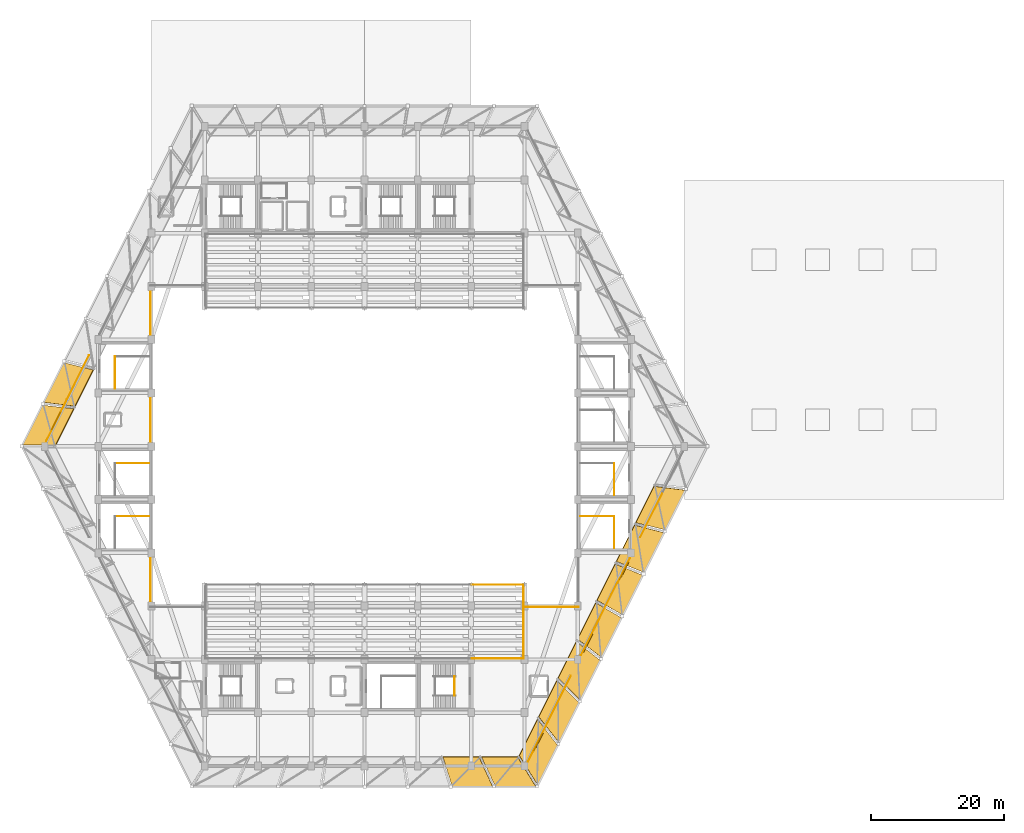
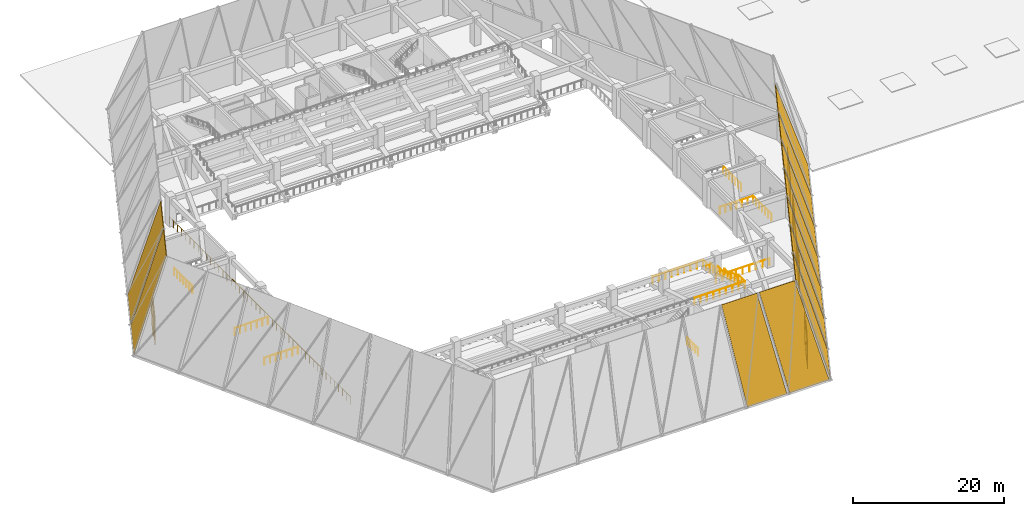
# One storey, part 21 of 24: 19 coverings, 17 railings, 4 shading devices.
"""IFC4 building model written with IfcOpenShell, lengths in metres."""

from ifc_helpers import new_model, si_unit, direction, frame, origin, origin_2d, place, context, subcontext, project, spatial, polyline, rectangle, circle, outline, extrude, material, layer, layer_set, type_object, element, save


model = new_model("IFC4")

# Units and contexts
model_context = context("Model", 3, precision=1e-05, world=origin(), true_north=direction((0.0, 1.0)))
body_context = subcontext(model_context, "Body", "Model", "MODEL_VIEW")
ifc_project = project(units=[si_unit("LENGTHUNIT", "METRE"), si_unit("AREAUNIT", "SQUARE_METRE"), si_unit("VOLUMEUNIT", "CUBIC_METRE"), si_unit("PLANEANGLEUNIT", "RADIAN"), si_unit("MASSUNIT", "GRAM", prefix="KILO")], contexts=[model_context])

# Site, building, storey
site_placement = place(None, origin())
site = spatial("IfcSite", under=ifc_project, at=site_placement, CompositionType="ELEMENT")
building_placement = place(site_placement, origin())
building = spatial("IfcBuilding", under=site, at=building_placement, Name="Tazarka Park Arena", CompositionType="ELEMENT")
storey_placement = place(building_placement, frame((0.0, 0.0, 15.0)))
storey = spatial("IfcBuildingStorey", under=building, at=storey_placement, Name="L03", CompositionType="ELEMENT", Elevation=15.0)

# Coverings
ifc_material_1 = material(Name="Dark ribbed perforated bronze-charcoal aluminium mesh", Category="aluminium")
ifc_layer = layer(ifc_material_1, 0.06005859375, Name="Dark ribbed perforated bronze-charcoal aluminium mesh")
ifc_layer_set = layer_set([ifc_layer], Name="Dark ribbed perforated bronze-charcoal aluminium mesh")
covering_type = type_object("IfcCoveringType", Name="CLD-01", PredefinedType="CLADDING", material=ifc_layer_set)
covering_1_placement = place(storey_placement, frame((101.165283203125, 12.89990234375, 0.0), z_axis=(0.0, -0.955276509759, 0.295714033997), x_axis=(1.0, 0.0, 0.0)))
element("IfcCovering", 1, at=covering_1_placement, inside=storey, type_object=covering_type, Name="Folded Gem Upper Ribbed Mesh Facet 007", PredefinedType="CLADDING", context=body_context, shape_type="SweptSolid", body=[
    extrude(outline(polyline([(0.0, 0.0), (6.064208984375, 0.0), (4.02294921875, 15.053110450846884), (-1.397705078125, 15.053110450846884), (0.0, 0.0)])), origin(), (0.0, 0.0, -1.0), 0.080078125),
])
covering_2_placement = place(storey_placement, frame((107.644287109375, 12.89990234375, 0.0), z_axis=(0.0, -0.955276509759, 0.295714033997), x_axis=(1.0, 0.0, 0.0)))
element("IfcCovering", 2, at=covering_2_placement, inside=storey, type_object=covering_type, Name="Folded Gem Upper Ribbed Mesh Facet 008", PredefinedType="CLADDING", context=body_context, shape_type="SweptSolid", body=[
    extrude(outline(polyline([(0.0, 0.0), (6.064208984375, 0.0), (3.335205078125, 15.053110450846884), (-2.08544921875, 15.053110450846884), (0.0, 0.0)])), origin(), (0.0, 0.0, -1.0), 0.080078125),
])
covering_3_placement = place(storey_placement, frame((114.01806640625, 13.1044921875, 0.0), z_axis=(0.854422620568, -0.427220430351, 0.295710482317), x_axis=(0.447220565242, 0.894423706092, 2.41218e-06)))
element("IfcCovering", 3, at=covering_3_placement, inside=storey, type_object=covering_type, Name="Folded Gem Upper Ribbed Mesh Facet 009", PredefinedType="CLADDING", context=body_context, shape_type="SweptSolid", body=[
    extrude(outline(polyline([(0.0, 0.0), (6.6841836707999365, 0.0), (8.83323279246505, 15.053070821129827), (2.73121291259323, 15.053103107689404), (0.0, 0.0)])), origin(), (0.0, 0.0, -1.0), 0.080078125),
])
covering_4_placement = place(storey_placement, frame((117.2119140625, 19.491943359375, 0.0), z_axis=(0.854425702053, -0.427212851026, 0.295712528631), x_axis=(0.447212317948, 0.894427829763, 4.614148e-06)))
element("IfcCovering", 4, at=covering_4_placement, inside=storey, type_object=covering_type, Name="Folded Gem Upper Ribbed Mesh Facet 010", PredefinedType="CLADDING", context=body_context, shape_type="SweptSolid", body=[
    extrude(outline(polyline([(0.0, 0.0), (6.684402037113722, 2.220446049250313e-16), (8.211180728832655, 15.053063446519374), (2.1091608498357544, 15.053125207081868), (0.0, 0.0)])), origin(), (0.0, 0.0, -1.0), 0.080078125),
])
covering_5_placement = place(storey_placement, frame((120.405517578125, 25.87939453125, 0.0), z_axis=(0.854418063297, -0.427227271296, 0.295713766626), x_axis=(0.447228812099, 0.894419582539, 2.10195e-07)))
element("IfcCovering", 5, at=covering_5_placement, inside=storey, type_object=covering_type, Name="Folded Gem Upper Ribbed Mesh Facet 011", PredefinedType="CLADDING", context=body_context, shape_type="SweptSolid", body=[
    extrude(outline(polyline([(0.0, 0.0), (6.684511220932458, -1.1102230246251565e-16), (7.589019723614486, 15.053107476761605), (1.4869998434161462, 15.053110290258305), (0.0, 0.0)])), origin(), (0.0, 0.0, -1.0), 0.080078125),
])
covering_6_placement = place(storey_placement, frame((123.599365234375, 32.266845703125, 0.0), z_axis=(0.854425702053, -0.427212851026, 0.295712528631), x_axis=(0.447212317948, 0.894427829763, 4.614148e-06)))
element("IfcCovering", 6, at=covering_6_placement, inside=storey, type_object=covering_type, Name="Folded Gem Upper Ribbed Mesh Facet 012", PredefinedType="CLADDING", context=body_context, shape_type="SweptSolid", body=[
    extrude(outline(polyline([(0.0, 0.0), (6.684402037113722, 2.220446049250313e-16), (6.96704036734277, 15.053069455925998), (0.8650204883458683, 15.05313121648849), (0.0, 0.0)])), origin(), (0.0, 0.0, -1.0), 0.080078125),
])
covering_7_placement = place(storey_placement, frame((126.793212890625, 38.654296875, 0.0), z_axis=(0.854426594025, -0.427204177292, 0.295722481945), x_axis=(0.447205348382, 0.894431314509, 2.202102e-06)))
element("IfcCovering", 7, at=covering_7_placement, inside=storey, type_object=covering_type, Name="Folded Gem Upper Ribbed Mesh Facet 013", PredefinedType="CLADDING", context=body_context, shape_type="SweptSolid", body=[
    extrude(outline(polyline([(0.0, 0.0), (6.684402037742119, -2.220446049250313e-16), (6.345133964078188, 15.053137033729044), (0.24289571911492003, 15.053166509555366), (0.0, 0.0)])), origin(), (0.0, 0.0, -1.0), 0.080078125),
])
covering_8_placement = place(storey_placement, frame((129.98681640625, 45.0419921875, 0.0), z_axis=(0.854416765636, -0.427226622438, 0.295718453399), x_axis=(0.447230089743, 0.894418943678, -4.404259e-06)))
element("IfcCovering", 8, at=covering_8_placement, inside=storey, type_object=covering_type, Name="Folded Gem Upper Ribbed Mesh Facet 014", PredefinedType="CLADDING", context=body_context, shape_type="SweptSolid", body=[
    extrude(outline(polyline([(0.0, 0.0), (6.684292856854548, 1.1102230246251565e-16), (5.722681874086814, 15.053158393174112), (-0.3795563700538452, 15.053099441361649), (0.0, 0.0)])), origin(), (0.0, 0.0, -1.0), 0.080078125),
])
for number, where, z_axis, x_axis, name in (
    (9, (133.1806640625, 51.429443359375, 0.0), (0.85442824834, -0.427205004432, 0.295716507193), (0.447205348407, 0.894431314496, 2.202062e-06), "Folded Gem Upper Ribbed Mesh Facet 015"),
    (10, (42.8193359375, 76.570556640625, 0.0), (-0.85442824834, 0.427205004432, 0.295716507193), (-0.447205348407, -0.894431314496, 2.202062e-06), "Folded Gem Upper Ribbed Mesh Facet 039"),
):
    element("IfcCovering", number, at=place(storey_placement, frame(where, z_axis=z_axis, x_axis=x_axis)), inside=storey, type_object=covering_type, Name=name, PredefinedType="CLADDING", context=body_context, shape_type="SweptSolid", body=[
        extrude(outline(polyline([(0.0, 0.0), (6.684402037742117, -1.1102230246251565e-16), (5.100775234908462, 15.053110757054977), (-1.001463010054807, 15.053140232285772), (0.0, 0.0)])), origin(), (0.0, 0.0, -1.0), 0.080078125),
    ])
covering_9_placement = place(storey_placement, frame((39.625732421875, 70.18310546875, 0.0), z_axis=(-0.854429991825, 0.427205876156, 0.295710210253), x_axis=(-0.447207903466, -0.894430036967, -7.026136e-06)))
element("IfcCovering", 11, at=covering_9_placement, inside=storey, type_object=covering_type, Name="Folded Gem Upper Ribbed Mesh Facet 040", PredefinedType="CLADDING", context=body_context, shape_type="SweptSolid", body=[
    extrude(outline(polyline([(0.0, 0.0), (6.684511219047283, 0.0), (4.478614228243955, 15.053124739790182), (-1.6235148351022615, 15.053030693136057), (0.0, 0.0)])), origin(), (0.0, 0.0, -1.0), 0.080078125),
])
covering_10_placement = place(storey_placement, frame((131.035888671875, 53.625, 0.0), z_axis=(0.0, 0.0, 1.0), x_axis=(-0.447290848419, -0.89438856037, 0.0)))
element("IfcCovering", 12, at=covering_10_placement, inside=storey, type_object=covering_type, Name="Ribbed Metal Mesh Cladding EW-L03-0291", PredefinedType="CLADDING", context=body_context, shape_type="SweptSolid", body=[
    extrude(rectangle(XDim=7.366455078125, YDim=0.06005859375, at=origin_2d()), origin(), (0.0, 0.0, 1.0), 4.5),
])
covering_11_placement = place(storey_placement, frame((126.89990234375, 45.330322265625, 0.0), z_axis=(0.0, 0.0, 1.0), x_axis=(-0.447290848419, -0.89438856037, 0.0)))
element("IfcCovering", 13, at=covering_11_placement, inside=storey, type_object=covering_type, Name="Ribbed Metal Mesh Cladding EW-L03-0292", PredefinedType="CLADDING", context=body_context, shape_type="SweptSolid", body=[
    extrude(rectangle(XDim=4.16259765625, YDim=0.06005859375, at=origin_2d()), origin(), (0.0, 0.0, 1.0), 4.5),
])
covering_12_placement = place(storey_placement, frame((124.14306640625, 39.928466796875, 0.0), z_axis=(0.0, 0.0, 1.0), x_axis=(-0.447290848419, -0.89438856037, 0.0)))
element("IfcCovering", 14, at=covering_12_placement, inside=storey, type_object=covering_type, Name="Ribbed Metal Mesh Cladding EW-L03-0293", PredefinedType="CLADDING", context=body_context, shape_type="SweptSolid", body=[
    extrude(rectangle(XDim=7.36669921875, YDim=0.06005859375, at=origin_2d()), origin(), (0.0, 0.0, 1.0), 4.5),
])
covering_13_placement = place(storey_placement, frame((121.435302734375, 34.501953125, 0.0), z_axis=(0.0, 0.0, 1.0), x_axis=(-0.447290848419, -0.89438856037, 0.0)))
element("IfcCovering", 15, at=covering_13_placement, inside=storey, type_object=covering_type, Name="Ribbed Metal Mesh Cladding EW-L03-0294", PredefinedType="CLADDING", context=body_context, shape_type="SweptSolid", body=[
    extrude(rectangle(XDim=4.16259765625, YDim=0.06005859375, at=origin_2d()), origin(), (0.0, 0.0, 1.0), 4.5),
])
covering_14_placement = place(storey_placement, frame((117.29931640625, 26.20751953125, 0.0), z_axis=(0.0, 0.0, 1.0), x_axis=(-0.447290848419, -0.89438856037, 0.0)))
element("IfcCovering", 16, at=covering_14_placement, inside=storey, type_object=covering_type, Name="Ribbed Metal Mesh Cladding EW-L03-0295", PredefinedType="CLADDING", context=body_context, shape_type="SweptSolid", body=[
    extrude(rectangle(XDim=7.366455078125, YDim=0.06005859375, at=origin_2d()), origin(), (0.0, 0.0, 1.0), 4.5),
])
for number, where, z_axis, x_axis, name in (
    (17, (114.02490234375, 19.6357421875, 0.0), (0.0, 0.0, 1.0), (-0.447290848419, -0.89438856037, 0.0), "Ribbed Metal Mesh Cladding EW-L03-0296"),
    (18, (41.711669921875, 67.792236328125, 0.0), (0.0, 0.0, 1.0), (0.447290848419, 0.89438856037, 0.0), "Ribbed Metal Mesh Cladding EW-L03-0310"),
):
    element("IfcCovering", number, at=place(storey_placement, frame(where, z_axis=z_axis, x_axis=x_axis)), inside=storey, type_object=covering_type, Name=name, PredefinedType="CLADDING", context=body_context, shape_type="SweptSolid", body=[
        extrude(rectangle(XDim=6.718017578125, YDim=0.06005859375, at=origin_2d()), origin(), (0.0, 0.0, 1.0), 4.5),
    ])
covering_15_placement = place(storey_placement, frame((44.986328125, 74.364013671875, 0.0), z_axis=(0.0, 0.0, 1.0), x_axis=(0.447290848419, 0.89438856037, 0.0)))
element("IfcCovering", 19, at=covering_15_placement, inside=storey, type_object=covering_type, Name="Ribbed Metal Mesh Cladding EW-L03-0311", PredefinedType="CLADDING", context=body_context, shape_type="SweptSolid", body=[
    extrude(rectangle(XDim=7.366455078125, YDim=0.06005859375, at=origin_2d()), origin(), (0.0, 0.0, 1.0), 4.5),
])

# Railings
ifc_material_2 = material(Name="Galvanised powder-coated architectural steel", Category="steel")
railing_type = type_object("IfcRailingType", Name="IGR-01", PredefinedType="GUARDRAIL", material=ifc_material_2)
railing_1_placement = place(storey_placement, frame((101.485107421875, 26.550048828125, 0.0)))
element("IfcRailing", 20, at=railing_1_placement, inside=storey, type_object=railing_type, Name="Stair Well Guardrail ST11-L03", PredefinedType="GUARDRAIL", context=body_context, shape_type="SweptSolid", body=[
    extrude(circle(Radius=0.02392578125, at=origin_2d()), frame((0.0, 0.0, 1.1259765625), z_axis=(0.0, 1.0, 0.0), x_axis=(-1.0, 0.0, 0.0)), (0.0, 0.0, 1.0), 2.89990234375),
    extrude(circle(Radius=0.02099609375, at=origin_2d()), origin(), (0.0, 0.0, 1.0), 1.101806640625),
    extrude(circle(Radius=0.02099609375, at=origin_2d()), frame((0.0, 0.72509765625, 0.0)), (0.0, 0.0, 1.0), 1.101806640625),
    extrude(circle(Radius=0.02099609375, at=origin_2d()), frame((0.0, 1.449951171875, 0.0)), (0.0, 0.0, 1.0), 1.101806640625),
    extrude(circle(Radius=0.02099609375, at=origin_2d()), frame((0.0, 2.1748046875, 0.0)), (0.0, 0.0, 1.0), 1.101806640625),
    extrude(circle(Radius=0.02099609375, at=origin_2d()), frame((0.0, 2.89990234375, 0.0)), (0.0, 0.0, 1.0), 1.101806640625),
])
railing_2_placement = place(storey_placement, frame((125.485107421875, 56.679931640625, 0.0)))
element("IfcRailing", 21, at=railing_2_placement, inside=storey, type_object=railing_type, Name="Stair Well Guardrail ST12-L03", PredefinedType="GUARDRAIL", context=body_context, shape_type="SweptSolid", body=[
    extrude(circle(Radius=0.02392578125, at=origin_2d()), frame((0.0, 0.0, 1.1259765625), z_axis=(0.0, 1.0, 0.0), x_axis=(-1.0, 0.0, 0.0)), (0.0, 0.0, 1.0), 4.77001953125),
    extrude(circle(Radius=0.02099609375, at=origin_2d()), origin(), (0.0, 0.0, 1.0), 1.101806640625),
    extrude(circle(Radius=0.02099609375, at=origin_2d()), frame((0.0, 0.794921875, 0.0)), (0.0, 0.0, 1.0), 1.101806640625),
    extrude(circle(Radius=0.02099609375, at=origin_2d()), frame((0.0, 1.590087890625, 0.0)), (0.0, 0.0, 1.0), 1.101806640625),
    extrude(circle(Radius=0.02099609375, at=origin_2d()), frame((0.0, 2.385009765625, 0.0)), (0.0, 0.0, 1.0), 1.101806640625),
    extrude(circle(Radius=0.02099609375, at=origin_2d()), frame((0.0, 3.179931640625, 0.0)), (0.0, 0.0, 1.0), 1.101806640625),
    extrude(circle(Radius=0.02099609375, at=origin_2d()), frame((0.0, 3.97509765625, 0.0)), (0.0, 0.0, 1.0), 1.101806640625),
    extrude(circle(Radius=0.02099609375, at=origin_2d()), frame((0.0, 4.77001953125, 0.0)), (0.0, 0.0, 1.0), 1.101806640625),
])
for number, where, name in (
    (22, (50.514892578125, 61.449951171875, 0.0), "Top Well Guardrail ST13-L03"),
    (23, (50.514892578125, 53.489990234375, 0.0), "Top Well Guardrail ST19-L03"),
):
    element("IfcRailing", number, at=place(storey_placement, frame(where)), inside=storey, type_object=railing_type, Name=name, PredefinedType="GUARDRAIL", context=body_context, shape_type="SweptSolid", body=[
        extrude(circle(Radius=0.02392578125, at=origin_2d()), frame((0.0, 0.0, 1.1259765625), z_axis=(1.0, 0.0, 0.0), x_axis=(0.0, 1.0, 0.0)), (0.0, 0.0, 1.0), 5.105224609375),
        extrude(circle(Radius=0.02099609375, at=origin_2d()), origin(), (0.0, 0.0, 1.0), 1.101806640625),
        extrude(circle(Radius=0.02099609375, at=origin_2d()), frame((0.850830078125, 0.0, 0.0)), (0.0, 0.0, 1.0), 1.101806640625),
        extrude(circle(Radius=0.02099609375, at=origin_2d()), frame((1.70166015625, 0.0, 0.0)), (0.0, 0.0, 1.0), 1.101806640625),
        extrude(circle(Radius=0.02099609375, at=origin_2d()), frame((2.552734375, 0.0, 0.0)), (0.0, 0.0, 1.0), 1.101806640625),
        extrude(circle(Radius=0.02099609375, at=origin_2d()), frame((3.403564453125, 0.0, 0.0)), (0.0, 0.0, 1.0), 1.101806640625),
        extrude(circle(Radius=0.02099609375, at=origin_2d()), frame((4.25439453125, 0.0, 0.0)), (0.0, 0.0, 1.0), 1.101806640625),
        extrude(circle(Radius=0.02099609375, at=origin_2d()), frame((5.105224609375, 0.0, 0.0)), (0.0, 0.0, 1.0), 1.101806640625),
    ])
for number, where, name in (
    (24, (50.514892578125, 72.679931640625, 0.0), "Stair Well Guardrail ST20-L03"),
    (25, (125.485107421875, 48.679931640625, 0.0), "Stair Well Guardrail ST21-L03"),
):
    element("IfcRailing", number, at=place(storey_placement, frame(where)), inside=storey, type_object=railing_type, Name=name, PredefinedType="GUARDRAIL", context=body_context, shape_type="SweptSolid", body=[
        extrude(circle(Radius=0.02392578125, at=origin_2d()), frame((0.0, 0.0, 1.1259765625), z_axis=(0.0, 1.0, 0.0), x_axis=(-1.0, 0.0, 0.0)), (0.0, 0.0, 1.0), 4.81005859375),
        extrude(circle(Radius=0.02099609375, at=origin_2d()), origin(), (0.0, 0.0, 1.0), 1.101806640625),
        extrude(circle(Radius=0.02099609375, at=origin_2d()), frame((0.0, 0.8017578125, 0.0)), (0.0, 0.0, 1.0), 1.101806640625),
        extrude(circle(Radius=0.02099609375, at=origin_2d()), frame((0.0, 1.603271484375, 0.0)), (0.0, 0.0, 1.0), 1.101806640625),
        extrude(circle(Radius=0.02099609375, at=origin_2d()), frame((0.0, 2.405029296875, 0.0)), (0.0, 0.0, 1.0), 1.101806640625),
        extrude(circle(Radius=0.02099609375, at=origin_2d()), frame((0.0, 3.206787109375, 0.0)), (0.0, 0.0, 1.0), 1.101806640625),
        extrude(circle(Radius=0.02099609375, at=origin_2d()), frame((0.0, 4.00830078125, 0.0)), (0.0, 0.0, 1.0), 1.101806640625),
        extrude(circle(Radius=0.02099609375, at=origin_2d()), frame((0.0, 4.81005859375, 0.0)), (0.0, 0.0, 1.0), 1.101806640625),
    ])
railing_3_placement = place(storey_placement, frame((125.485107421875, 53.489990234375, 0.0)))
element("IfcRailing", 26, at=railing_3_placement, inside=storey, type_object=railing_type, Name="Top Well Guardrail ST21-L03", PredefinedType="GUARDRAIL", context=body_context, shape_type="SweptSolid", body=[
    extrude(circle(Radius=0.02392578125, at=origin_2d()), frame((0.0, 0.0, 1.1259765625), z_axis=(-1.0, 0.0, 0.0), x_axis=(0.0, -1.0, 0.0)), (0.0, 0.0, 1.0), 5.105224609375),
    extrude(circle(Radius=0.02099609375, at=origin_2d()), origin(), (0.0, 0.0, 1.0), 1.101806640625),
    extrude(circle(Radius=0.02099609375, at=origin_2d()), frame((-0.850830078125, 0.0, 0.0)), (0.0, 0.0, 1.0), 1.101806640625),
    extrude(circle(Radius=0.02099609375, at=origin_2d()), frame((-1.70166015625, 0.0, 0.0)), (0.0, 0.0, 1.0), 1.101806640625),
    extrude(circle(Radius=0.02099609375, at=origin_2d()), frame((-2.552734375, 0.0, 0.0)), (0.0, 0.0, 1.0), 1.101806640625),
    extrude(circle(Radius=0.02099609375, at=origin_2d()), frame((-3.403564453125, 0.0, 0.0)), (0.0, 0.0, 1.0), 1.101806640625),
    extrude(circle(Radius=0.02099609375, at=origin_2d()), frame((-4.25439453125, 0.0, 0.0)), (0.0, 0.0, 1.0), 1.101806640625),
    extrude(circle(Radius=0.02099609375, at=origin_2d()), frame((-5.105224609375, 0.0, 0.0)), (0.0, 0.0, 1.0), 1.101806640625),
])
railing_4_placement = place(storey_placement, frame((55.8798828125, 39.8798828125, 0.0)))
element("IfcRailing", 27, at=railing_4_placement, inside=storey, type_object=railing_type, Name="Interior Barrier Guardrail IGR-01-009", PredefinedType="GUARDRAIL", context=body_context, shape_type="SweptSolid", body=[
    extrude(circle(Radius=0.02392578125, at=origin_2d()), frame((0.0, 0.0, 1.1259765625), z_axis=(0.0, 1.0, 0.0), x_axis=(-1.0, 0.0, 0.0)), (0.0, 0.0, 1.0), 48.240234375),
    extrude(circle(Radius=0.02099609375, at=origin_2d()), origin(), (0.0, 0.0, 1.0), 1.101806640625),
    extrude(circle(Radius=0.02099609375, at=origin_2d()), frame((0.0, 1.096435546875, 0.0)), (0.0, 0.0, 1.0), 1.101806640625),
    extrude(circle(Radius=0.02099609375, at=origin_2d()), frame((0.0, 2.192626953125, 0.0)), (0.0, 0.0, 1.0), 1.101806640625),
    extrude(circle(Radius=0.02099609375, at=origin_2d()), frame((0.0, 3.2890625, 0.0)), (0.0, 0.0, 1.0), 1.101806640625),
    extrude(circle(Radius=0.02099609375, at=origin_2d()), frame((0.0, 4.385498046875, 0.0)), (0.0, 0.0, 1.0), 1.101806640625),
    extrude(circle(Radius=0.02099609375, at=origin_2d()), frame((0.0, 5.48193359375, 0.0)), (0.0, 0.0, 1.0), 1.101806640625),
    extrude(circle(Radius=0.02099609375, at=origin_2d()), frame((0.0, 6.578125, 0.0)), (0.0, 0.0, 1.0), 1.101806640625),
    extrude(circle(Radius=0.02099609375, at=origin_2d()), frame((0.0, 7.674560546875, 0.0)), (0.0, 0.0, 1.0), 1.101806640625),
    extrude(circle(Radius=0.02099609375, at=origin_2d()), frame((0.0, 8.77099609375, 0.0)), (0.0, 0.0, 1.0), 1.101806640625),
    extrude(circle(Radius=0.02099609375, at=origin_2d()), frame((0.0, 9.867431640625, 0.0)), (0.0, 0.0, 1.0), 1.101806640625),
    extrude(circle(Radius=0.02099609375, at=origin_2d()), frame((0.0, 10.963623046875, 0.0)), (0.0, 0.0, 1.0), 1.101806640625),
    extrude(circle(Radius=0.02099609375, at=origin_2d()), frame((0.0, 12.06005859375, 0.0)), (0.0, 0.0, 1.0), 1.101806640625),
    extrude(circle(Radius=0.02099609375, at=origin_2d()), frame((0.0, 13.156494140625, 0.0)), (0.0, 0.0, 1.0), 1.101806640625),
    extrude(circle(Radius=0.02099609375, at=origin_2d()), frame((0.0, 14.252685546875, 0.0)), (0.0, 0.0, 1.0), 1.101806640625),
    extrude(circle(Radius=0.02099609375, at=origin_2d()), frame((0.0, 15.34912109375, 0.0)), (0.0, 0.0, 1.0), 1.101806640625),
    extrude(circle(Radius=0.02099609375, at=origin_2d()), frame((0.0, 16.445556640625, 0.0)), (0.0, 0.0, 1.0), 1.101806640625),
    extrude(circle(Radius=0.02099609375, at=origin_2d()), frame((0.0, 17.5419921875, 0.0)), (0.0, 0.0, 1.0), 1.101806640625),
    extrude(circle(Radius=0.02099609375, at=origin_2d()), frame((0.0, 18.63818359375, 0.0)), (0.0, 0.0, 1.0), 1.101806640625),
    extrude(circle(Radius=0.02099609375, at=origin_2d()), frame((0.0, 19.734619140625, 0.0)), (0.0, 0.0, 1.0), 1.101806640625),
    extrude(circle(Radius=0.02099609375, at=origin_2d()), frame((0.0, 20.8310546875, 0.0)), (0.0, 0.0, 1.0), 1.101806640625),
    extrude(circle(Radius=0.02099609375, at=origin_2d()), frame((0.0, 21.927490234375, 0.0)), (0.0, 0.0, 1.0), 1.101806640625),
    extrude(circle(Radius=0.02099609375, at=origin_2d()), frame((0.0, 23.023681640625, 0.0)), (0.0, 0.0, 1.0), 1.101806640625),
    extrude(circle(Radius=0.02099609375, at=origin_2d()), frame((0.0, 24.1201171875, 0.0)), (0.0, 0.0, 1.0), 1.101806640625),
    extrude(circle(Radius=0.02099609375, at=origin_2d()), frame((0.0, 25.216552734375, 0.0)), (0.0, 0.0, 1.0), 1.101806640625),
    extrude(circle(Radius=0.02099609375, at=origin_2d()), frame((0.0, 26.312744140625, 0.0)), (0.0, 0.0, 1.0), 1.101806640625),
    extrude(circle(Radius=0.02099609375, at=origin_2d()), frame((0.0, 27.4091796875, 0.0)), (0.0, 0.0, 1.0), 1.101806640625),
    extrude(circle(Radius=0.02099609375, at=origin_2d()), frame((0.0, 28.505615234375, 0.0)), (0.0, 0.0, 1.0), 1.101806640625),
    extrude(circle(Radius=0.02099609375, at=origin_2d()), frame((0.0, 29.60205078125, 0.0)), (0.0, 0.0, 1.0), 1.101806640625),
    extrude(circle(Radius=0.02099609375, at=origin_2d()), frame((0.0, 30.6982421875, 0.0)), (0.0, 0.0, 1.0), 1.101806640625),
    extrude(circle(Radius=0.02099609375, at=origin_2d()), frame((0.0, 31.794677734375, 0.0)), (0.0, 0.0, 1.0), 1.101806640625),
    extrude(circle(Radius=0.02099609375, at=origin_2d()), frame((0.0, 32.89111328125, 0.0)), (0.0, 0.0, 1.0), 1.101806640625),
    extrude(circle(Radius=0.02099609375, at=origin_2d()), frame((0.0, 33.987548828125, 0.0)), (0.0, 0.0, 1.0), 1.101806640625),
    extrude(circle(Radius=0.02099609375, at=origin_2d()), frame((0.0, 35.083740234375, 0.0)), (0.0, 0.0, 1.0), 1.101806640625),
    extrude(circle(Radius=0.02099609375, at=origin_2d()), frame((0.0, 36.18017578125, 0.0)), (0.0, 0.0, 1.0), 1.101806640625),
    extrude(circle(Radius=0.02099609375, at=origin_2d()), frame((0.0, 37.276611328125, 0.0)), (0.0, 0.0, 1.0), 1.101806640625),
    extrude(circle(Radius=0.02099609375, at=origin_2d()), frame((0.0, 38.372802734375, 0.0)), (0.0, 0.0, 1.0), 1.101806640625),
    extrude(circle(Radius=0.02099609375, at=origin_2d()), frame((0.0, 39.46923828125, 0.0)), (0.0, 0.0, 1.0), 1.101806640625),
    extrude(circle(Radius=0.02099609375, at=origin_2d()), frame((0.0, 40.565673828125, 0.0)), (0.0, 0.0, 1.0), 1.101806640625),
    extrude(circle(Radius=0.02099609375, at=origin_2d()), frame((0.0, 41.662109375, 0.0)), (0.0, 0.0, 1.0), 1.101806640625),
    extrude(circle(Radius=0.02099609375, at=origin_2d()), frame((0.0, 42.75830078125, 0.0)), (0.0, 0.0, 1.0), 1.101806640625),
    extrude(circle(Radius=0.02099609375, at=origin_2d()), frame((0.0, 43.854736328125, 0.0)), (0.0, 0.0, 1.0), 1.101806640625),
    extrude(circle(Radius=0.02099609375, at=origin_2d()), frame((0.0, 44.951171875, 0.0)), (0.0, 0.0, 1.0), 1.101806640625),
    extrude(circle(Radius=0.02099609375, at=origin_2d()), frame((0.0, 46.047607421875, 0.0)), (0.0, 0.0, 1.0), 1.101806640625),
    extrude(circle(Radius=0.02099609375, at=origin_2d()), frame((0.0, 47.143798828125, 0.0)), (0.0, 0.0, 1.0), 1.101806640625),
    extrude(circle(Radius=0.02099609375, at=origin_2d()), frame((0.0, 48.240234375, 0.0)), (0.0, 0.0, 1.0), 1.101806640625),
])
railing_5_placement = place(storey_placement, frame((111.89990234375, 39.8798828125, 0.0)))
element("IfcRailing", 28, at=railing_5_placement, inside=storey, type_object=railing_type, Name="Interior Barrier Guardrail IGR-01-012", PredefinedType="GUARDRAIL", context=body_context, shape_type="SweptSolid", body=[
    extrude(circle(Radius=0.02392578125, at=origin_2d()), frame((0.0, 0.0, 1.1259765625), z_axis=(1.0, 0.0, 0.0), x_axis=(0.0, 1.0, 0.0)), (0.0, 0.0, 1.0), 8.22021484375),
    extrude(circle(Radius=0.02099609375, at=origin_2d()), origin(), (0.0, 0.0, 1.0), 1.101806640625),
    extrude(circle(Radius=0.02099609375, at=origin_2d()), frame((1.027587890625, 0.0, 0.0)), (0.0, 0.0, 1.0), 1.101806640625),
    extrude(circle(Radius=0.02099609375, at=origin_2d()), frame((2.05517578125, 0.0, 0.0)), (0.0, 0.0, 1.0), 1.101806640625),
    extrude(circle(Radius=0.02099609375, at=origin_2d()), frame((3.08251953125, 0.0, 0.0)), (0.0, 0.0, 1.0), 1.101806640625),
    extrude(circle(Radius=0.02099609375, at=origin_2d()), frame((4.110107421875, 0.0, 0.0)), (0.0, 0.0, 1.0), 1.101806640625),
    extrude(circle(Radius=0.02099609375, at=origin_2d()), frame((5.1376953125, 0.0, 0.0)), (0.0, 0.0, 1.0), 1.101806640625),
    extrude(circle(Radius=0.02099609375, at=origin_2d()), frame((6.1650390625, 0.0, 0.0)), (0.0, 0.0, 1.0), 1.101806640625),
    extrude(circle(Radius=0.02099609375, at=origin_2d()), frame((7.192626953125, 0.0, 0.0)), (0.0, 0.0, 1.0), 1.101806640625),
    extrude(circle(Radius=0.02099609375, at=origin_2d()), frame((8.22021484375, 0.0, 0.0)), (0.0, 0.0, 1.0), 1.101806640625),
])
railing_6_placement = place(storey_placement, frame((111.8798828125, 41.5, 0.64990234375)))
element("IfcRailing", 29, at=railing_6_placement, inside=storey, type_object=railing_type, Name="Interior Barrier Guardrail IGR-01-055", PredefinedType="GUARDRAIL", context=body_context, shape_type="SweptSolid", body=[
    extrude(circle(Radius=0.02392578125, at=origin_2d()), frame((0.0, 0.0, 1.1259765625), z_axis=(0.0, 1.0, 0.0), x_axis=(-1.0, 0.0, 0.0)), (0.0, 0.0, 1.0), 1.719970703125),
    extrude(circle(Radius=0.02099609375, at=origin_2d()), origin(), (0.0, 0.0, 1.0), 1.101806640625),
    extrude(circle(Radius=0.02099609375, at=origin_2d()), frame((0.0, 0.85986328125, 0.0)), (0.0, 0.0, 1.0), 1.101806640625),
    extrude(circle(Radius=0.02099609375, at=origin_2d()), frame((0.0, 1.719970703125, 0.0)), (0.0, 0.0, 1.0), 1.101806640625),
])
railing_7_placement = place(storey_placement, frame((104.1201171875, 43.199951171875, 0.64990234375)))
element("IfcRailing", 30, at=railing_7_placement, inside=storey, type_object=railing_type, Name="Interior Barrier Guardrail IGR-01-056", PredefinedType="GUARDRAIL", context=body_context, shape_type="SweptSolid", body=[
    extrude(circle(Radius=0.02392578125, at=origin_2d()), frame((0.0, 0.0, 1.1259765625), z_axis=(1.0, 0.0, 0.0), x_axis=(0.0, 1.0, 0.0)), (0.0, 0.0, 1.0), 7.759765625),
    extrude(circle(Radius=0.02099609375, at=origin_2d()), origin(), (0.0, 0.0, 1.0), 1.101806640625),
    extrude(circle(Radius=0.02099609375, at=origin_2d()), frame((0.969970703125, 0.0, 0.0)), (0.0, 0.0, 1.0), 1.101806640625),
    extrude(circle(Radius=0.02099609375, at=origin_2d()), frame((1.93994140625, 0.0, 0.0)), (0.0, 0.0, 1.0), 1.101806640625),
    extrude(circle(Radius=0.02099609375, at=origin_2d()), frame((2.909912109375, 0.0, 0.0)), (0.0, 0.0, 1.0), 1.101806640625),
    extrude(circle(Radius=0.02099609375, at=origin_2d()), frame((3.8798828125, 0.0, 0.0)), (0.0, 0.0, 1.0), 1.101806640625),
    extrude(circle(Radius=0.02099609375, at=origin_2d()), frame((4.849853515625, 0.0, 0.0)), (0.0, 0.0, 1.0), 1.101806640625),
    extrude(circle(Radius=0.02099609375, at=origin_2d()), frame((5.81982421875, 0.0, 0.0)), (0.0, 0.0, 1.0), 1.101806640625),
    extrude(circle(Radius=0.02099609375, at=origin_2d()), frame((6.789794921875, 0.0, 0.0)), (0.0, 0.0, 1.0), 1.101806640625),
    extrude(circle(Radius=0.02099609375, at=origin_2d()), frame((7.759765625, 0.0, 0.0)), (0.0, 0.0, 1.0), 1.101806640625),
])
for number, where, name in (
    (31, (111.8798828125, 39.6201171875, 1.300048828125), "Interior Barrier Guardrail IGR-01-058"),
    (32, (111.8798828125, 37.739990234375, 1.949951171875), "Interior Barrier Guardrail IGR-01-060"),
    (33, (111.8798828125, 35.860107421875, 2.60009765625), "Interior Barrier Guardrail IGR-01-062"),
    (34, (111.8798828125, 33.97998046875, 3.25), "Interior Barrier Guardrail IGR-01-064"),
    (35, (111.8798828125, 32.10009765625, 3.89990234375), "Interior Barrier Guardrail IGR-01-071"),
):
    element("IfcRailing", number, at=place(storey_placement, frame(where)), inside=storey, type_object=railing_type, Name=name, PredefinedType="GUARDRAIL", context=body_context, shape_type="SweptSolid", body=[
        extrude(circle(Radius=0.02392578125, at=origin_2d()), frame((0.0, 0.0, 1.1259765625), z_axis=(0.0, 1.0, 0.0), x_axis=(-1.0, 0.0, 0.0)), (0.0, 0.0, 1.0), 1.719970703125),
        extrude(circle(Radius=0.02099609375, at=origin_2d()), origin(), (0.0, 0.0, 1.0), 1.101806640625),
        extrude(circle(Radius=0.02099609375, at=origin_2d()), frame((0.0, 0.85986328125, 0.0)), (0.0, 0.0, 1.0), 1.101806640625),
        extrude(circle(Radius=0.02099609375, at=origin_2d()), frame((0.0, 1.719970703125, 0.0)), (0.0, 0.0, 1.0), 1.101806640625),
    ])
railing_8_placement = place(storey_placement, frame((104.1201171875, 32.1201171875, 3.89990234375)))
element("IfcRailing", 36, at=railing_8_placement, inside=storey, type_object=railing_type, Name="Interior Barrier Guardrail IGR-01-072", PredefinedType="GUARDRAIL", context=body_context, shape_type="SweptSolid", body=[
    extrude(circle(Radius=0.02392578125, at=origin_2d()), frame((0.0, 0.0, 1.1259765625), z_axis=(1.0, 0.0, 0.0), x_axis=(0.0, 1.0, 0.0)), (0.0, 0.0, 1.0), 7.759765625),
    extrude(circle(Radius=0.02099609375, at=origin_2d()), origin(), (0.0, 0.0, 1.0), 1.101806640625),
    extrude(circle(Radius=0.02099609375, at=origin_2d()), frame((0.969970703125, 0.0, 0.0)), (0.0, 0.0, 1.0), 1.101806640625),
    extrude(circle(Radius=0.02099609375, at=origin_2d()), frame((1.93994140625, 0.0, 0.0)), (0.0, 0.0, 1.0), 1.101806640625),
    extrude(circle(Radius=0.02099609375, at=origin_2d()), frame((2.909912109375, 0.0, 0.0)), (0.0, 0.0, 1.0), 1.101806640625),
    extrude(circle(Radius=0.02099609375, at=origin_2d()), frame((3.8798828125, 0.0, 0.0)), (0.0, 0.0, 1.0), 1.101806640625),
    extrude(circle(Radius=0.02099609375, at=origin_2d()), frame((4.849853515625, 0.0, 0.0)), (0.0, 0.0, 1.0), 1.101806640625),
    extrude(circle(Radius=0.02099609375, at=origin_2d()), frame((5.81982421875, 0.0, 0.0)), (0.0, 0.0, 1.0), 1.101806640625),
    extrude(circle(Radius=0.02099609375, at=origin_2d()), frame((6.789794921875, 0.0, 0.0)), (0.0, 0.0, 1.0), 1.101806640625),
    extrude(circle(Radius=0.02099609375, at=origin_2d()), frame((7.759765625, 0.0, 0.0)), (0.0, 0.0, 1.0), 1.101806640625),
])

# Shading devices
ifc_material_3 = material(Name="Dark ribbed perforated bronze-charcoal aluminium mesh", Category="aluminium")
shading_device_type = type_object("IfcShadingDeviceType", Name="SHD-02", PredefinedType="JALOUSIE", material=ifc_material_3)
for number, where, z_axis, x_axis, name in (
    (37, (126.95361328125, 45.3037109375, 0.0), (0.0, 0.0, 1.0), (-0.447290848419, -0.89438856037, 0.0), "Perforated Mesh Screen EW-L03-0292"),
    (38, (121.489013671875, 34.47509765625, 0.0), (0.0, 0.0, 1.0), (-0.447290848419, -0.89438856037, 0.0), "Perforated Mesh Screen EW-L03-0294"),
    (39, (114.078369140625, 19.60888671875, 0.0), (0.0, 0.0, 1.0), (-0.447290848419, -0.89438856037, 0.0), "Perforated Mesh Screen EW-L03-0296"),
    (40, (41.658203125, 67.819091796875, 0.0), (0.0, 0.0, 1.0), (0.447290848419, 0.89438856037, 0.0), "Perforated Mesh Screen EW-L03-0310"),
):
    element("IfcShadingDevice", number, at=place(storey_placement, frame(where, z_axis=z_axis, x_axis=x_axis)), inside=storey, type_object=shading_device_type, Name=name, PredefinedType="JALOUSIE", context=body_context, shape_type="SweptSolid", body=[
        extrude(rectangle(XDim=3.0, YDim=0.139892578125, at=origin_2d()), origin(), (0.0, 0.0, 1.0), 4.5),
    ])

save(model, "model.ifc")
